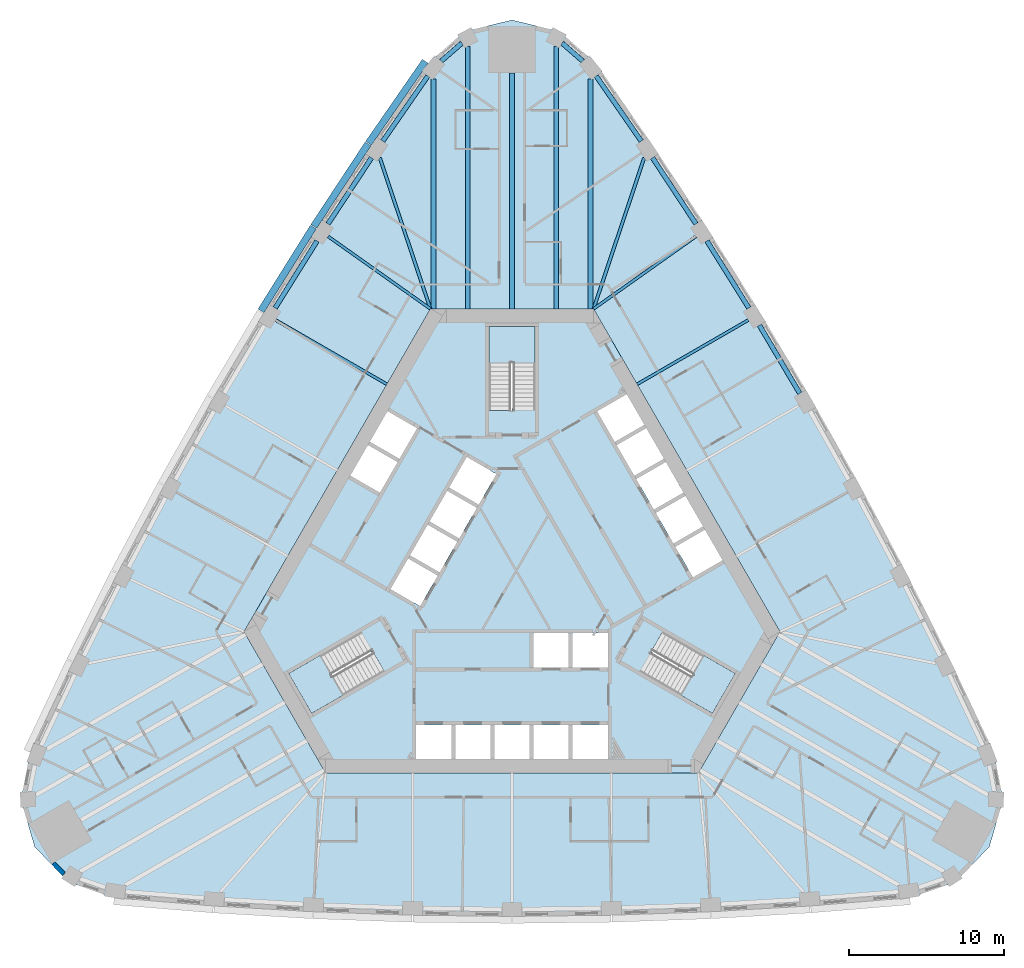
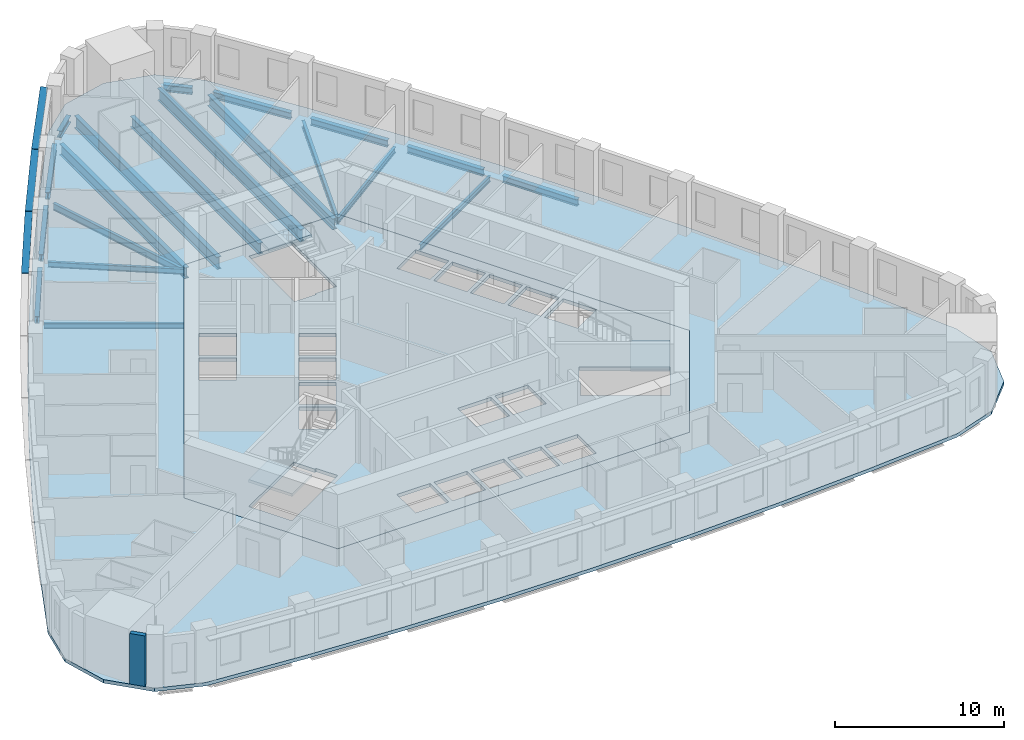
# One storey, part 2 of 12: 20 beams, 5 slabs, 3 members, 1 wall, 3 elements without a shape of their own.
"""IFC4 building model written with IfcOpenShell, lengths in metres."""

import ifcopenshell
import ifcopenshell.guid

model = None  # the IFC model being written
_history = None  # IfcOwnerHistory: only IFC2X3 demands one
_inside = {}  # id of a spatial element -> (the spatial element, [elements in it])
_under = {}  # id of a project, library or spatial element -> (it, [spatial elements below it])
_declared = {}  # id of a project -> (the project, [libraries it declares])
_typed = {}  # id of a type object -> (the type object, [elements of that type])
_made_of = {}  # id of a material, layer set ... -> (it, [elements and type objects made of it])


def new_model(schema):
    """Start an empty IFC model of exactly this schema.

    Asked for "IFC4X3", IfcOpenShell would pick the latest addendum, in which some entities
    have other attributes; the version numbers below select the first issue.
    IFC2X3 requires an IfcOwnerHistory on every rooted entity: one is made here for all.
    """
    global model, _history
    if schema == "IFC4X3":
        model = ifcopenshell.file(schema_version=(4, 3, 0, 0))
    else:
        model = ifcopenshell.file(schema=schema)
    _inside.clear()
    _under.clear()
    _declared.clear()
    _typed.clear()
    _made_of.clear()
    _history = None
    if model.schema == "IFC2X3":
        org = make("IfcOrganization", Name="unknown")
        user = make(
            "IfcPersonAndOrganization",
            ThePerson=make("IfcPerson", FamilyName="unknown"),
            TheOrganization=org,
        )
        app = make(
            "IfcApplication",
            ApplicationDeveloper=org,
            Version="unknown",
            ApplicationFullName="unknown",
            ApplicationIdentifier="unknown",
        )
        _history = make(
            "IfcOwnerHistory",
            OwningUser=user,
            OwningApplication=app,
            ChangeAction="ADDED",
            CreationDate=0,
        )
    return model


def make(cls, **values):
    """One entity of the class cls with the attributes given. An attribute that is None is left unset."""
    return model.create_entity(
        cls, **{name: value for name, value in values.items() if value is not None}
    )


def rooted(cls, **values):
    """An entity with a GlobalId (a new one), such as an element, a storey or a relation."""
    return make(cls, GlobalId=ifcopenshell.guid.new(), OwnerHistory=_history, **values)


def si_unit(unit_type, name, prefix=None):
    """IfcSIUnit, for example si_unit("LENGTHUNIT", "METRE", prefix="MILLI")."""
    return make("IfcSIUnit", UnitType=unit_type, Prefix=prefix, Name=name)


def assignment(units):
    """IfcUnitAssignment: the units of a project."""
    return None if units is None else make("IfcUnitAssignment", Units=units)


def point(xyz):
    """IfcCartesianPoint."""
    return None if xyz is None else make("IfcCartesianPoint", Coordinates=xyz)


def direction(xyz):
    """IfcDirection."""
    return None if xyz is None else make("IfcDirection", DirectionRatios=xyz)


def frame(location, z_axis=None, x_axis=None):
    """IfcAxis2Placement3D, a coordinate frame: its origin and axes. An axis left out is left unset."""
    return make(
        "IfcAxis2Placement3D",
        Location=point(location),
        Axis=direction(z_axis),
        RefDirection=direction(x_axis),
    )


def frame_2d(location, x_axis=None):
    """IfcAxis2Placement2D, a coordinate frame in the plane: its origin and x axis."""
    return make(
        "IfcAxis2Placement2D", Location=point(location), RefDirection=direction(x_axis)
    )


def origin():
    """The frame at (0, 0, 0) with its axes left unset."""
    return frame((0.0, 0.0, 0.0))


def origin_2d():
    """The frame at (0, 0) in the plane with its x axis left unset."""
    return frame_2d((0.0, 0.0))


def place(relative_to, where):
    """IfcLocalPlacement: puts the frame where relative to a parent placement (None: the world)."""
    return make(
        "IfcLocalPlacement", PlacementRelTo=relative_to, RelativePlacement=where
    )


def context(
    kind, dimensions, precision=None, world=None, true_north=None, identifier=None
):
    """IfcGeometricRepresentationContext, for example the 3D "Model" context."""
    return make(
        "IfcGeometricRepresentationContext",
        ContextIdentifier=identifier,
        ContextType=kind,
        CoordinateSpaceDimension=dimensions,
        Precision=precision,
        WorldCoordinateSystem=world,
        TrueNorth=true_north,
    )


def subcontext(parent, identifier, kind, view, scale=None):
    """IfcGeometricRepresentationSubContext, for example "Body" below "Model"."""
    return make(
        "IfcGeometricRepresentationSubContext",
        ContextIdentifier=identifier,
        ContextType=kind,
        ParentContext=parent,
        TargetScale=scale,
        TargetView=view,
    )


def project(units=None, contexts=None):
    """IfcProject with its units and contexts."""
    return rooted(
        "IfcProject",
        Name="project",
        RepresentationContexts=contexts,
        UnitsInContext=assignment(units),
    )


def spatial(cls, under=None, at=None, **own):
    """A site, building, storey or space (cls), placed at a placement, below another one or the project."""
    s = rooted(cls, ObjectPlacement=at, **own)
    if under is not None:
        _under.setdefault(under.id(), (under, []))[1].append(s)
    return s


def polyline(points):
    """IfcPolyline through the points."""
    return make("IfcPolyline", Points=[point(p) for p in points])


def profile(cls, at=None, kind="AREA", **sizes):
    """A parametric profile (cls). Its sizes go by their IFC names, for example OverallWidth=200.0."""
    return make(cls, ProfileType=kind, Position=at, **sizes)


def rectangle(**sizes):
    """IfcRectangleProfileDef."""
    return profile("IfcRectangleProfileDef", **sizes)


def i_section(**sizes):
    """IfcIShapeProfileDef."""
    return profile("IfcIShapeProfileDef", **sizes)


def outline(outer, holes=None, kind="AREA"):
    """IfcArbitraryClosedProfileDef: a profile drawn as a closed curve; with holes, ...WithVoids."""
    if holes is None:
        return make("IfcArbitraryClosedProfileDef", ProfileType=kind, OuterCurve=outer)
    return make(
        "IfcArbitraryProfileDefWithVoids",
        ProfileType=kind,
        OuterCurve=outer,
        InnerCurves=holes,
    )


def extrude(swept, where, along, depth):
    """IfcExtrudedAreaSolid: the profile swept, set in the frame where, extruded along a direction by depth."""
    return make(
        "IfcExtrudedAreaSolid",
        SweptArea=swept,
        Position=where,
        ExtrudedDirection=direction(along),
        Depth=depth,
    )


def shape(context_of_items, identifier, shape_type, items):
    """IfcShapeRepresentation: the items that make up one representation, for example the "Body"."""
    return make(
        "IfcShapeRepresentation",
        ContextOfItems=context_of_items,
        RepresentationIdentifier=identifier,
        RepresentationType=shape_type,
        Items=items,
    )


def material(Name=None, Category=None):
    """IfcMaterial."""
    return make("IfcMaterial", Name=Name, Category=Category)


def layer(
    of_material, thickness, ventilated=None, Name=None, Category=None, Priority=None
):
    """IfcMaterialLayer: one layer of a wall or slab, of a material (None: an air gap)."""
    return make(
        "IfcMaterialLayer",
        Material=of_material,
        LayerThickness=thickness,
        IsVentilated=ventilated,
        Name=Name,
        Category=Category,
        Priority=Priority,
    )


def layer_set(layers, Name=None):
    """IfcMaterialLayerSet."""
    return make("IfcMaterialLayerSet", MaterialLayers=layers, LayerSetName=Name)


def material_profile(
    of_material, cross_section, Name=None, Category=None, Priority=None
):
    """IfcMaterialProfile: a cross section and its material."""
    return make(
        "IfcMaterialProfile",
        Name=Name,
        Material=of_material,
        Profile=cross_section,
        Priority=Priority,
        Category=Category,
    )


def profile_set(profiles, Name=None, composite=None):
    """IfcMaterialProfileSet."""
    return make(
        "IfcMaterialProfileSet",
        Name=Name,
        MaterialProfiles=profiles,
        CompositeProfile=composite,
    )


def made_of(thing, what):
    """Note that an element or type object is made of a material, layer set ...; save() writes the relation."""
    if what is not None:
        _made_of.setdefault(what.id(), (what, []))[1].append(thing)
    return thing


def type_object(cls, material=None, **own):
    """A type object (cls), such as IfcWallType, which elements share."""
    return made_of(rooted(cls, **own), material)


def element(
    cls,
    number,
    at=None,
    inside=None,
    cuts=None,
    type_object=None,
    material=None,
    context=None,
    identifier="Body",
    shape_type=None,
    held_by="IfcProductDefinitionShape",
    body=None,
    shapes=None,
    **own,
):
    """One element of the class cls, such as IfcWall. Its Tag is "e" and its number.

    at: its placement. inside: the storey or other place that contains it. cuts: it is an
    opening in that element (IfcRelVoidsElement). A single representation is given by context,
    identifier, shape_type and body (its items); several are given by shapes. held_by: the class
    of the entity that holds the representations. save() writes the other relations.
    """
    e = rooted(cls, Tag="e%d" % number, ObjectPlacement=at, **own)
    if body is not None:
        shapes = [shape(context, identifier, shape_type, body)]
    if shapes is not None:
        e.Representation = make(held_by, Representations=shapes)
    if inside is not None:
        _inside.setdefault(inside.id(), (inside, []))[1].append(e)
    if cuts is not None:
        rooted(
            "IfcRelVoidsElement", RelatingBuildingElement=cuts, RelatedOpeningElement=e
        )
    if type_object is not None:
        _typed.setdefault(type_object.id(), (type_object, []))[1].append(e)
    return made_of(e, material)


def aggregate(whole, parts):
    """IfcRelAggregates: a whole, such as a stair, and the parts it consists of."""
    return rooted("IfcRelAggregates", RelatingObject=whole, RelatedObjects=parts)


def save(model, path):
    """Write the relations noted so far, then the file.

    IfcRelAggregates (storeys below a building ...), IfcRelContainedInSpatialStructure (elements
    in a storey), IfcRelDefinesByType, IfcRelAssociatesMaterial and IfcRelDeclares: one each for
    every whole, place, type object, material and project.
    """
    for whole, parts in _under.values():
        aggregate(whole, parts)
    for where, things in _inside.values():
        rooted(
            "IfcRelContainedInSpatialStructure",
            RelatedElements=things,
            RelatingStructure=where,
        )
    for kind, things in _typed.values():
        rooted("IfcRelDefinesByType", RelatedObjects=things, RelatingType=kind)
    for what, things in _made_of.values():
        rooted("IfcRelAssociatesMaterial", RelatedObjects=things, RelatingMaterial=what)
    for by, libraries in _declared.values():
        rooted("IfcRelDeclares", RelatingContext=by, RelatedDefinitions=libraries)
    model.write(path)


model = new_model("IFC4")

# Units and contexts
model_context = context("Model", 3, precision=1e-05, world=origin(), true_north=direction((0.0, 1.0)))
body_context = subcontext(model_context, "Body", "Model", "MODEL_VIEW")
ifc_project = project(units=[si_unit("LENGTHUNIT", "METRE"), si_unit("AREAUNIT", "SQUARE_METRE"), si_unit("VOLUMEUNIT", "CUBIC_METRE"), si_unit("PLANEANGLEUNIT", "RADIAN"), si_unit("MASSUNIT", "GRAM", prefix="KILO")], contexts=[model_context])

# Site, building, storey
site_placement = place(None, origin())
site = spatial("IfcSite", under=ifc_project, at=site_placement, CompositionType="ELEMENT")
building_placement = place(site_placement, origin())
building = spatial("IfcBuilding", under=site, at=building_placement, Name="Mestral Congress Tower", CompositionType="ELEMENT")
storey_placement = place(building_placement, frame((0.0, 0.0, 118.800048828125)))
storey = spatial("IfcBuildingStorey", under=building, at=storey_placement, Name="L28", CompositionType="ELEMENT", Elevation=118.800048828125)

# Members
ifc_material_1 = material(Name="Glazed ceramic", Category="masonry")
ifc_material_profile_1 = material_profile(ifc_material_1, rectangle(XDim=0.449951171875, YDim=0.06005859375, at=origin_2d()), Name="Ceramic blade 450 x 60")
ifc_profile_set_1 = profile_set([ifc_material_profile_1], Name="Glazed ceramic")
member_type = type_object("IfcMemberType", Name="Facade sunshade blade 450 x 60", PredefinedType="USERDEFINED", material=ifc_profile_set_1)
member_placement = place(storey_placement, frame((-5.590576171875, 32.8505859375, 3.280029296875), z_axis=(-0.569144736399, -0.822237355652, 0.0), x_axis=(0.822237355652, -0.569144736399, 0.0)))
element("IfcMember", 1, at=member_placement, inside=storey, type_object=member_type, Name="Sunshade F2-00", ObjectType="SUNSHADE", PredefinedType="USERDEFINED", context=body_context, shape_type="SweptSolid", body=[
    extrude(rectangle(XDim=0.449951171875, YDim=0.06005859375, at=origin_2d()), origin(), (0.0, 0.0, 1.0), 6.421630859375),
])
for number, where, z_axis, x_axis, name in (
    (2, (-9.2705078125, 27.532958984375, 3.280029296875), (-0.549764307833, -0.835319822483, 0.0), (0.835319822483, -0.549764307833, 0.0), "Sunshade F2-01"),
    (3, (-12.797119140625, 22.173583984375, 3.280029296875), (-0.530060946156, -0.847959547007, 0.0), (0.847959547007, -0.530060946156, 0.0), "Sunshade F2-02"),
):
    element("IfcMember", number, at=place(storey_placement, frame(where, z_axis=z_axis, x_axis=x_axis)), inside=storey, type_object=member_type, Name=name, ObjectType="SUNSHADE", PredefinedType="USERDEFINED", context=body_context, shape_type="SweptSolid", body=[
        extrude(rectangle(XDim=0.449951171875, YDim=0.06005859375, at=origin_2d()), origin(), (0.0, 0.0, 1.0), 6.370361328125),
    ])

# Beams
ifc_material_2 = material(Name="Steel S355", Category="steel")
ifc_material_profile_2 = material_profile(ifc_material_2, i_section(OverallWidth=0.300048828125, OverallDepth=0.800048828125, WebThickness=0.017578125, FlangeThickness=0.032958984375, FilletRadius=0.030029296875, at=origin_2d()), Name="HEB 800")
ifc_profile_set_2 = profile_set([ifc_material_profile_2], Name="Steel S355")
beam_type_1 = type_object("IfcBeamType", Name="Floor beam HEB 800 S355", PredefinedType="BEAM", material=ifc_profile_set_2)
beam_1_placement = place(storey_placement, frame((5.056396484375, 31.72412109375, -0.650146484375), z_axis=(0.0, -1.0, 0.0), x_axis=(1.0, 0.0, 0.0)))
element("IfcBeam", 4, at=beam_1_placement, inside=storey, type_object=beam_type_1, Name="BM-L28-RB2-E08", PredefinedType="BEAM", context=body_context, shape_type="SweptSolid", body=[
    extrude(i_section(OverallWidth=0.300048828125, OverallDepth=0.800048828125, WebThickness=0.017578125, FlangeThickness=0.032958984375, FilletRadius=0.030029296875, at=origin_2d()), origin(), (0.0, 0.0, 1.0), 14.82421875),
])
beam_2_placement = place(storey_placement, frame((0.0, 32.098388671875, -0.650146484375), z_axis=(0.0, -1.0, 0.0), x_axis=(1.0, 0.0, 0.0)))
element("IfcBeam", 5, at=beam_2_placement, inside=storey, type_object=beam_type_1, Name="BM-L28-RB2-N", PredefinedType="BEAM", context=body_context, shape_type="SweptSolid", body=[
    extrude(i_section(OverallWidth=0.300048828125, OverallDepth=0.800048828125, WebThickness=0.017578125, FlangeThickness=0.032958984375, FilletRadius=0.030029296875, at=origin_2d()), origin(), (0.0, 0.0, 1.0), 15.198486328125),
])
beam_3_placement = place(storey_placement, frame((-5.056396484375, 31.72412109375, -0.650146484375), z_axis=(0.0, -1.0, 0.0), x_axis=(1.0, 0.0, 0.0)))
element("IfcBeam", 6, at=beam_3_placement, inside=storey, type_object=beam_type_1, Name="BM-L28-RB2-W00", PredefinedType="BEAM", context=body_context, shape_type="SweptSolid", body=[
    extrude(i_section(OverallWidth=0.300048828125, OverallDepth=0.800048828125, WebThickness=0.017578125, FlangeThickness=0.032958984375, FilletRadius=0.030029296875, at=origin_2d()), origin(), (0.0, 0.0, 1.0), 14.82421875),
])
ifc_material_profile_3 = material_profile(ifc_material_2, i_section(OverallWidth=0.300048828125, OverallDepth=0.89990234375, WebThickness=0.0185546875, FlangeThickness=0.034912109375, FilletRadius=0.030029296875, at=origin_2d()), Name="HEB 900")
ifc_profile_set_3 = profile_set([ifc_material_profile_3], Name="Steel S355")
beam_type_2 = type_object("IfcBeamType", Name="Floor beam HEB 900 S355", PredefinedType="BEAM", material=ifc_profile_set_3)
for number, where, z_axis, x_axis, name in (
    (7, (2.845703125, 33.794189453125, -0.699951171875), (0.0, -1.0, 0.0), (1.0, 0.0, 0.0), "BM-L28-RB2-N1"),
    (8, (-2.845703125, 33.794189453125, -0.699951171875), (0.0, -1.0, 0.0), (1.0, 0.0, 0.0), "BM-L28-RB2-N3"),
):
    element("IfcBeam", number, at=place(storey_placement, frame(where, z_axis=z_axis, x_axis=x_axis)), inside=storey, type_object=beam_type_2, Name=name, PredefinedType="BEAM", context=body_context, shape_type="SweptSolid", body=[
        extrude(i_section(OverallWidth=0.300048828125, OverallDepth=0.89990234375, WebThickness=0.0185546875, FlangeThickness=0.034912109375, FilletRadius=0.030029296875, at=origin_2d()), origin(), (0.0, 0.0, 1.0), 16.894287109375),
    ])
ifc_material_profile_4 = material_profile(ifc_material_2, i_section(OverallWidth=0.179931640625, OverallDepth=0.39990234375, WebThickness=0.008544921875, FlangeThickness=0.013427734375, FilletRadius=0.02099609375, at=origin_2d()), Name="IPE 400")
ifc_profile_set_4 = profile_set([ifc_material_profile_4], Name="Steel S355")
beam_type_3 = type_object("IfcBeamType", Name="Floor beam IPE 400 S355", PredefinedType="BEAM", material=ifc_profile_set_4)
beam_4_placement = place(storey_placement, frame((15.219482421875, 16.176513671875, -0.449951171875), z_axis=(-0.866015952286, -0.500016370119, 0.0), x_axis=(0.500016370119, -0.866015952286, 0.0)))
element("IfcBeam", 9, at=beam_4_placement, inside=storey, type_object=beam_type_3, Name="BM-L28-RB2-E05", PredefinedType="BEAM", context=body_context, shape_type="SweptSolid", body=[
    extrude(i_section(OverallWidth=0.179931640625, OverallDepth=0.39990234375, WebThickness=0.008544921875, FlangeThickness=0.013427734375, FilletRadius=0.02099609375, at=origin_2d()), origin(), (0.0, 0.0, 1.0), 8.268798828125),
])
for number, where, z_axis, x_axis, name in (
    (10, (11.849365234375, 21.568115234375, -0.449951171875), (-0.816232852676, -0.577723056673, 0.0), (0.577723056673, -0.816232852676, 0.0), "BM-L28-RB2-E06"),
    (11, (-11.849365234375, 21.568115234375, -0.449951171875), (0.816232852676, -0.577723056673, 0.0), (0.577723056673, 0.816232852676, 0.0), "BM-L28-RB2-W02"),
):
    element("IfcBeam", number, at=place(storey_placement, frame(where, z_axis=z_axis, x_axis=x_axis)), inside=storey, type_object=beam_type_3, Name=name, PredefinedType="BEAM", context=body_context, shape_type="SweptSolid", body=[
        extrude(i_section(OverallWidth=0.179931640625, OverallDepth=0.39990234375, WebThickness=0.008544921875, FlangeThickness=0.013427734375, FilletRadius=0.02099609375, at=origin_2d()), origin(), (0.0, 0.0, 1.0), 8.080322265625),
    ])
beam_5_placement = place(storey_placement, frame((-15.219482421875, 16.176513671875, -0.449951171875), z_axis=(0.866015952286, -0.500016370119, 0.0), x_axis=(0.500016370119, 0.866015952286, 0.0)))
element("IfcBeam", 12, at=beam_5_placement, inside=storey, type_object=beam_type_3, Name="BM-L28-RB2-W03", PredefinedType="BEAM", context=body_context, shape_type="SweptSolid", body=[
    extrude(i_section(OverallWidth=0.179931640625, OverallDepth=0.39990234375, WebThickness=0.008544921875, FlangeThickness=0.013427734375, FilletRadius=0.02099609375, at=origin_2d()), origin(), (0.0, 0.0, 1.0), 8.268798828125),
])
ifc_material_profile_5 = material_profile(ifc_material_2, i_section(OverallWidth=0.199951171875, OverallDepth=0.5, WebThickness=0.01025390625, FlangeThickness=0.01611328125, FilletRadius=0.02099609375, at=origin_2d()), Name="IPE 500")
ifc_profile_set_5 = profile_set([ifc_material_profile_5], Name="Steel S355")
beam_type_4 = type_object("IfcBeamType", Name="Floor beam IPE 500 S355", PredefinedType="BEAM", material=ifc_profile_set_5)
for number, where, z_axis, x_axis, name in (
    (13, (8.5185546875, 26.636962890625, -0.5), (-0.317888994992, -0.948127938025, 0.0), (0.948127938025, -0.317888994992, 0.0), "BM-L28-RB2-E07"),
    (14, (-8.5185546875, 26.636962890625, -0.5), (0.317888994992, -0.948127938025, 0.0), (0.948127938025, 0.317888994992, 0.0), "BM-L28-RB2-W01"),
):
    element("IfcBeam", number, at=place(storey_placement, frame(where, z_axis=z_axis, x_axis=x_axis)), inside=storey, type_object=beam_type_4, Name=name, PredefinedType="BEAM", context=body_context, shape_type="SweptSolid", body=[
        extrude(i_section(OverallWidth=0.199951171875, OverallDepth=0.5, WebThickness=0.01025390625, FlangeThickness=0.01611328125, FilletRadius=0.02099609375, at=origin_2d()), origin(), (0.0, 0.0, 1.0), 10.269775390625),
    ])
ifc_material_profile_6 = material_profile(ifc_material_2, i_section(OverallWidth=0.300048828125, OverallDepth=0.489990234375, WebThickness=0.011962890625, FlangeThickness=0.02294921875, FilletRadius=0.027099609375, at=origin_2d()), Name="HEA 500")
ifc_profile_set_6 = profile_set([ifc_material_profile_6], Name="Steel S355")
beam_type_5 = type_object("IfcBeamType", Name="Spandrel beam HEA 500 S355", PredefinedType="BEAM", material=ifc_profile_set_6)
for number, where, z_axis, x_axis, name in (
    (15, (18.542236328125, 11.455810546875, -0.4951171875), (-0.510081870963, 0.860125854114, 0.0), (-0.860125854114, -0.510081870963, 0.0), "SP-L28-SB2-E04"),
    (16, (15.2646484375, 16.95263671875, -0.4951171875), (-0.530046273959, 0.847968718446, 0.0), (-0.847968718446, -0.530046273959, 0.0), "SP-L28-SB2-E05"),
):
    element("IfcBeam", number, at=place(storey_placement, frame(where, z_axis=z_axis, x_axis=x_axis)), inside=storey, type_object=beam_type_5, Name=name, PredefinedType="BEAM", context=body_context, shape_type="SweptSolid", body=[
        extrude(i_section(OverallWidth=0.300048828125, OverallDepth=0.489990234375, WebThickness=0.011962890625, FlangeThickness=0.02294921875, FilletRadius=0.027099609375, at=origin_2d()), origin(), (0.0, 0.0, 1.0), 5.099853515625),
    ])
beam_6_placement = place(storey_placement, frame((11.859619140625, 22.371337890625, -0.4951171875), z_axis=(-0.549729920898, 0.835342453171, 0.0), x_axis=(-0.835342453171, -0.549729920898, 0.0)))
element("IfcBeam", 17, at=beam_6_placement, inside=storey, type_object=beam_type_5, Name="SP-L28-SB2-E06", PredefinedType="BEAM", context=body_context, shape_type="SweptSolid", body=[
    extrude(i_section(OverallWidth=0.300048828125, OverallDepth=0.489990234375, WebThickness=0.011962890625, FlangeThickness=0.02294921875, FilletRadius=0.027099609375, at=origin_2d()), origin(), (0.0, 0.0, 1.0), 5.099609375),
])
beam_7_placement = place(storey_placement, frame((8.32861328125, 27.708740234375, -0.4951171875), z_axis=(-0.569105377225, 0.822264598298, 0.0), x_axis=(-0.822264598298, -0.569105377225, 0.0)))
element("IfcBeam", 18, at=beam_7_placement, inside=storey, type_object=beam_type_5, Name="SP-L28-SB2-E07", PredefinedType="BEAM", context=body_context, shape_type="SweptSolid", body=[
    extrude(i_section(OverallWidth=0.300048828125, OverallDepth=0.489990234375, WebThickness=0.011962890625, FlangeThickness=0.02294921875, FilletRadius=0.027099609375, at=origin_2d()), origin(), (0.0, 0.0, 1.0), 5.09765625),
])
for number, where, z_axis, x_axis, name in (
    (19, (4.558349609375, 32.869140625, -0.4951171875), (-0.754917058401, 0.655820276398, 0.0), (-0.655820276398, -0.754917058401, 0.0), "SP-L28-SB2-E08"),
    (20, (-3.234130859375, 34.01953125, -0.4951171875), (-0.754917058401, -0.655820276398, 0.0), (0.655820276398, -0.754917058401, 0.0), "SP-L28-SB2-N3"),
):
    element("IfcBeam", number, at=place(storey_placement, frame(where, z_axis=z_axis, x_axis=x_axis)), inside=storey, type_object=beam_type_5, Name=name, PredefinedType="BEAM", context=body_context, shape_type="SweptSolid", body=[
        extrude(i_section(OverallWidth=0.300048828125, OverallDepth=0.489990234375, WebThickness=0.011962890625, FlangeThickness=0.02294921875, FilletRadius=0.027099609375, at=origin_2d()), origin(), (0.0, 0.0, 1.0), 1.754150390625),
    ])
beam_8_placement = place(storey_placement, frame((-5.427490234375, 31.900390625, -0.4951171875), z_axis=(-0.569105377225, -0.822264598298, 0.0), x_axis=(0.822264598298, -0.569105377225, 0.0)))
element("IfcBeam", 21, at=beam_8_placement, inside=storey, type_object=beam_type_5, Name="SP-L28-SB2-W00", PredefinedType="BEAM", context=body_context, shape_type="SweptSolid", body=[
    extrude(i_section(OverallWidth=0.300048828125, OverallDepth=0.489990234375, WebThickness=0.011962890625, FlangeThickness=0.02294921875, FilletRadius=0.027099609375, at=origin_2d()), origin(), (0.0, 0.0, 1.0), 5.09765625),
])
beam_9_placement = place(storey_placement, frame((-9.05615234375, 26.63134765625, -0.4951171875), z_axis=(-0.549729920898, -0.835342453171, 0.0), x_axis=(0.835342453171, -0.549729920898, 0.0)))
element("IfcBeam", 22, at=beam_9_placement, inside=storey, type_object=beam_type_5, Name="SP-L28-SB2-W01", PredefinedType="BEAM", context=body_context, shape_type="SweptSolid", body=[
    extrude(i_section(OverallWidth=0.300048828125, OverallDepth=0.489990234375, WebThickness=0.011962890625, FlangeThickness=0.02294921875, FilletRadius=0.027099609375, at=origin_2d()), origin(), (0.0, 0.0, 1.0), 5.099609375),
])
beam_10_placement = place(storey_placement, frame((-12.5615234375, 21.277099609375, -0.4951171875), z_axis=(-0.530046273959, -0.847968718446, 0.0), x_axis=(0.847968718446, -0.530046273959, 0.0)))
element("IfcBeam", 23, at=beam_10_placement, inside=storey, type_object=beam_type_5, Name="SP-L28-SB2-W02", PredefinedType="BEAM", context=body_context, shape_type="SweptSolid", body=[
    extrude(i_section(OverallWidth=0.300048828125, OverallDepth=0.489990234375, WebThickness=0.011962890625, FlangeThickness=0.02294921875, FilletRadius=0.027099609375, at=origin_2d()), origin(), (0.0, 0.0, 1.0), 5.099853515625),
])

# Slabs
ifc_material_3 = material(Name="Concrete C35/45", Category="concrete")
ifc_layer_1 = layer(ifc_material_3, 0.25)
ifc_layer_set_1 = layer_set([ifc_layer_1], Name="Concrete C35/45")
slab_type_1 = type_object("IfcSlabType", Name="Composite floor slab 250", PredefinedType="FLOOR", material=ifc_layer_set_1)
placement_1 = place(storey_placement, frame((0.0, 0.0, -0.25)))
element("IfcSlab", 24, at=placement_1, inside=storey, type_object=slab_type_1, Name="SL-L28", PredefinedType="FLOOR", context=body_context, shape_type="SweptSolid", body=[
    extrude(outline(polyline([(-25.656005859375, -21.041015625), (-28.581298828125, -20.03271484375), (-30.75390625, -17.755859375), (-31.639404296875, -14.73583984375), (-31.050048828125, -11.697998046875), (-28.28759765625, -5.856689453125), (-25.412109375, -0.12744140625), (-22.403564453125, 5.533203125), (-19.263671875, 11.121826171875), (-15.99365234375, 16.635498046875), (-12.595703125, 22.0712890625), (-9.07177734375, 27.426025390625), (-5.39404296875, 32.739013671875), (-3.05810546875, 34.768310546875), (0.0, 35.51171875), (3.05810546875, 34.768310546875), (5.39404296875, 32.739013671875), (9.07177734375, 27.426025390625), (12.595703125, 22.0712890625), (15.99365234375, 16.635498046875), (19.263671875, 11.121826171875), (22.403564453125, 5.533203125), (25.412109375, -0.12744140625), (28.28759765625, -5.856689453125), (31.050048828125, -11.697998046875), (31.639404296875, -14.73583984375), (30.75390625, -17.755859375), (28.581298828125, -20.03271484375), (25.656005859375, -21.041015625), (19.2158203125, -21.5693359375), (12.81640625, -21.94384765625), (6.409912109375, -22.168701171875), (0.0, -22.24365234375), (-6.409912109375, -22.168701171875), (-12.81640625, -21.94384765625), (-19.2158203125, -21.5693359375), (-25.656005859375, -21.041015625)]), holes=[polyline([(-5.25390625, 16.89990234375), (-17.2626953125, -3.89990234375), (-12.0087890625, -13.0), (12.0087890625, -13.0), (17.2626953125, -3.89990234375), (5.25390625, 16.89990234375), (-5.25390625, 16.89990234375)])]), origin(), (0.0, 0.0, 1.0), 0.25),
])
ifc_material_4 = material(Name="Concrete C60/75", Category="concrete")
ifc_layer_2 = layer(ifc_material_4, 0.25)
ifc_layer_set_2 = layer_set([ifc_layer_2], Name="Concrete C60/75")
slab_type_2 = type_object("IfcSlabType", Name="Core floor slab RC 250", PredefinedType="FLOOR", material=ifc_layer_set_2)
element("IfcSlab", 25, at=placement_1, inside=storey, type_object=slab_type_2, Name="L28 core floor", PredefinedType="FLOOR", context=body_context, shape_type="SweptSolid", body=[
    extrude(outline(polyline([(12.0087890625, -13.0), (-12.0087890625, -13.0), (-17.2626953125, -3.89990234375), (-5.25390625, 16.89990234375), (5.25390625, 16.89990234375), (17.2626953125, -3.89990234375), (12.0087890625, -13.0)]), holes=[polyline([(-3.905029296875, -9.89990234375), (-6.175048828125, -9.89990234375), (-6.175048828125, -12.10009765625), (-3.905029296875, -12.10009765625), (-3.905029296875, -9.89990234375)]), polyline([(-1.385009765625, -9.89990234375), (-3.655029296875, -9.89990234375), (-3.655029296875, -12.10009765625), (-1.385009765625, -12.10009765625), (-1.385009765625, -9.89990234375)]), polyline([(1.135009765625, -9.89990234375), (-1.135009765625, -9.89990234375), (-1.135009765625, -12.10009765625), (1.135009765625, -12.10009765625), (1.135009765625, -9.89990234375)]), polyline([(-9.0673828125, -5.235107421875), (-9.8046875, -3.95751953125), (-14.37744140625, -6.59765625), (-12.90234375, -9.15234375), (-8.234619140625, -6.45751953125), (-8.971923828125, -5.179931640625), (-9.0673828125, -5.235107421875)]), polyline([(-7.826904296875, -1.156494140625), (-5.921630859375, -2.256591796875), (-4.78662109375, -0.29052734375), (-6.69189453125, 0.809326171875), (-7.826904296875, -1.156494140625)]), polyline([(-4.66162109375, -0.07421875), (-3.526611328125, 1.8916015625), (-5.431884765625, 2.99169921875), (-6.56689453125, 1.02587890625), (-4.66162109375, -0.07421875)]), polyline([(-3.401611328125, 2.1083984375), (-2.2666015625, 4.07421875), (-4.171875, 5.174072265625), (-5.306884765625, 3.208251953125), (-3.401611328125, 2.1083984375)]), polyline([(-2.1416015625, 4.29052734375), (-1.006591796875, 6.256591796875), (-2.911865234375, 7.3564453125), (-4.046875, 5.390625), (-2.1416015625, 4.29052734375)]), polyline([(-10.41650390625, 6.158203125), (-8.51123046875, 5.058349609375), (-7.376220703125, 7.024169921875), (-9.281494140625, 8.1240234375), (-10.41650390625, 6.158203125)]), polyline([(-9.156494140625, 8.340576171875), (-7.251220703125, 7.240478515625), (-6.1162109375, 9.20654296875), (-8.021484375, 10.306396484375), (-9.156494140625, 8.340576171875)]), polyline([(1.47509765625, 10.469970703125), (1.47509765625, 15.75), (-1.47509765625, 15.75), (-1.47509765625, 10.360107421875), (0.0, 10.360107421875), (0.0, 10.469970703125), (1.47509765625, 10.469970703125)]), polyline([(3.655029296875, -9.89990234375), (1.385009765625, -9.89990234375), (1.385009765625, -12.10009765625), (3.655029296875, -12.10009765625), (3.655029296875, -9.89990234375)]), polyline([(6.175048828125, -9.89990234375), (3.905029296875, -9.89990234375), (3.905029296875, -12.10009765625), (6.175048828125, -12.10009765625), (6.175048828125, -9.89990234375)]), polyline([(9.0673828125, -5.235107421875), (8.329833984375, -6.512451171875), (12.90234375, -9.15234375), (14.37744140625, -6.59765625), (9.70947265625, -3.902587890625), (8.971923828125, -5.179931640625), (9.0673828125, -5.235107421875)]), polyline([(3.655029296875, -6.199951171875), (3.655029296875, -4.0), (1.385009765625, -4.0), (1.385009765625, -6.199951171875), (3.655029296875, -6.199951171875)]), polyline([(6.175048828125, -4.0), (3.905029296875, -4.0), (3.905029296875, -6.199951171875), (6.175048828125, -6.199951171875), (6.175048828125, -4.0)]), polyline([(12.431396484375, 2.668212890625), (10.526123046875, 1.568115234375), (11.6611328125, -0.397705078125), (13.56640625, 0.702392578125), (12.431396484375, 2.668212890625)]), polyline([(11.17138671875, 4.8505859375), (9.26611328125, 3.75048828125), (10.401123046875, 1.78466796875), (12.306396484375, 2.884765625), (11.17138671875, 4.8505859375)]), polyline([(8.006103515625, 5.932861328125), (9.14111328125, 3.967041015625), (11.04638671875, 5.067138671875), (9.911376953125, 7.032958984375), (8.006103515625, 5.932861328125)]), polyline([(8.6513671875, 9.21533203125), (6.74609375, 8.115234375), (7.881103515625, 6.1494140625), (9.786376953125, 7.24951171875), (8.6513671875, 9.21533203125)]), polyline([(7.391357421875, 11.397705078125), (5.486083984375, 10.297607421875), (6.62109375, 8.331787109375), (8.5263671875, 9.431884765625), (7.391357421875, 11.397705078125)])]), origin(), (0.0, 0.0, 1.0), 0.25),
])

# Stair, slab
stair_type = type_object("IfcStairType", Name="Exit stair 1400", PredefinedType="HALF_TURN_STAIR", material=ifc_material_4)
placement_2 = place(storey_placement, origin())
stair_1 = element("IfcStair", 26, at=placement_2, inside=storey, type_object=stair_type, Name="L28 ST1", PredefinedType="HALF_TURN_STAIR")
ifc_layer_3 = layer(ifc_material_4, 0.199951171875)
ifc_layer_set_3 = layer_set([ifc_layer_3], Name="Concrete C60/75")
slab_type_3 = type_object("IfcSlabType", Name="Exit stair landing 200", PredefinedType="LANDING", material=ifc_layer_set_3)
placement_3 = place(storey_placement, frame((0.0, 0.0, 1.75)))
slab_3 = element("IfcSlab", 27, at=placement_3, type_object=slab_type_3, Name="ST1 landing 1", PredefinedType="LANDING", context=body_context, shape_type="SweptSolid", body=[
    extrude(outline(polyline([(10.879638671875, -7.99609375), (12.364501953125, -5.424072265625), (14.39111328125, -6.593994140625), (12.906005859375, -9.166015625), (10.879638671875, -7.99609375)])), origin(), (0.0, 0.0, 1.0), 0.199951171875),
])
aggregate(stair_1, [slab_3])

stair_2 = element("IfcStair", 28, at=placement_2, inside=storey, type_object=stair_type, Name="L28 ST2", PredefinedType="HALF_TURN_STAIR")
slab_4 = element("IfcSlab", 29, at=placement_3, type_object=slab_type_3, Name="ST2 landing 1", PredefinedType="LANDING", context=body_context, shape_type="SweptSolid", body=[
    extrude(outline(polyline([(1.485107421875, 13.419921875), (-1.485107421875, 13.419921875), (-1.485107421875, 15.760009765625), (1.485107421875, 15.760009765625), (1.485107421875, 13.419921875)])), origin(), (0.0, 0.0, 1.0), 0.199951171875),
])
aggregate(stair_2, [slab_4])

stair_3 = element("IfcStair", 30, at=placement_2, inside=storey, type_object=stair_type, Name="L28 ST3", PredefinedType="HALF_TURN_STAIR")
slab_5 = element("IfcSlab", 31, at=placement_3, type_object=slab_type_3, Name="ST3 landing 1", PredefinedType="LANDING", context=body_context, shape_type="SweptSolid", body=[
    extrude(outline(polyline([(-12.364501953125, -5.424072265625), (-10.879638671875, -7.99609375), (-12.906005859375, -9.166015625), (-14.39111328125, -6.593994140625), (-12.364501953125, -5.424072265625)])), origin(), (0.0, 0.0, 1.0), 0.199951171875),
])
aggregate(stair_3, [slab_5])

# Wall
ifc_material_5 = material(Name="Precast concrete C40/50 with limestone facing", Category="masonry")
ifc_layer_4 = layer(ifc_material_5, 0.2900390625)
ifc_layer_set_4 = layer_set([ifc_layer_4], Name="Precast concrete C40/50 with limestone facing")
wall_type = type_object("IfcWallType", Name="Facade stone wall 290", PredefinedType="SOLIDWALL", material=ifc_layer_set_4)
wall_placement = place(storey_placement, frame((-29.5341796875, -18.82421875, 0.0), z_axis=(0.0, 0.0, 1.0), x_axis=(0.690414427296, -0.723414071319, 0.0)))
element("IfcWall", 32, at=wall_placement, inside=storey, type_object=wall_type, Name="Facade wall K2-2", PredefinedType="SOLIDWALL", context=body_context, shape_type="SweptSolid", body=[
    extrude(rectangle(XDim=0.947021484375, YDim=0.2900390625, at=frame_2d((0.4736328125, 0.0))), origin(), (0.0, 0.0, 1.0), 3.64990234375),
])

save(model, "model.ifc")
